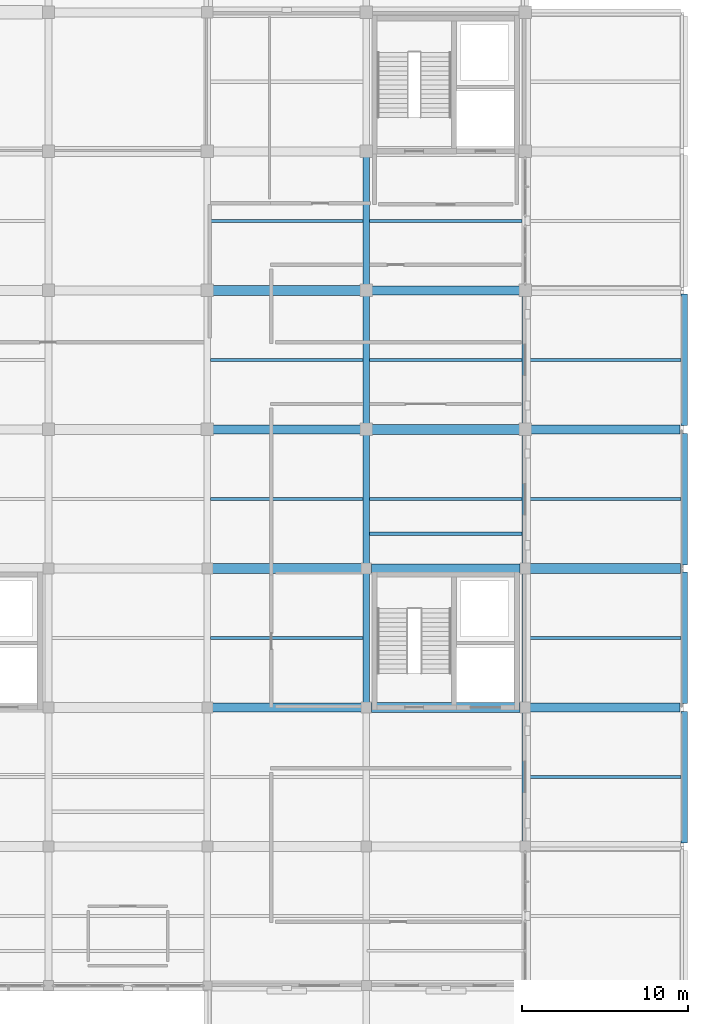
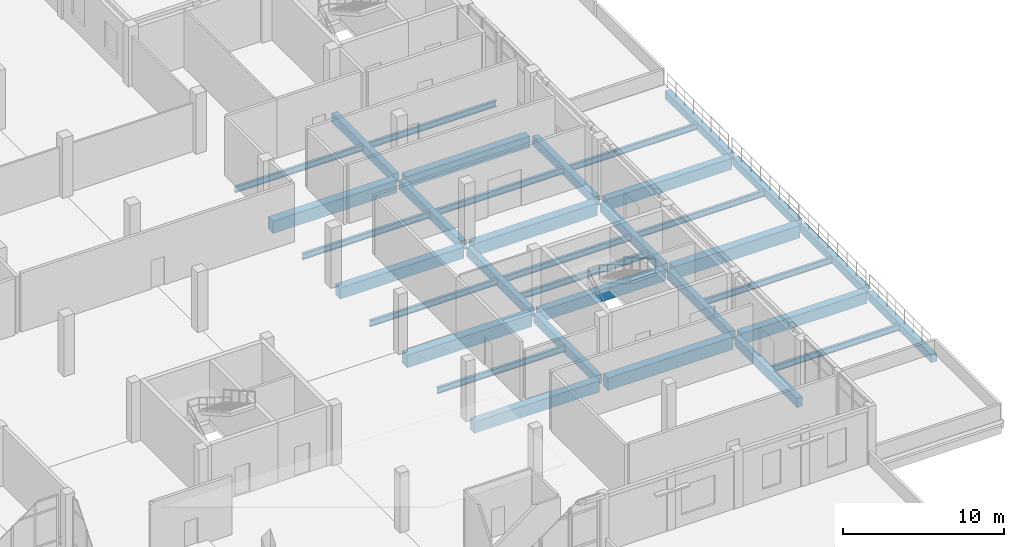
# One storey, part 56 of 88: 35 beams.
"""IFC4 building model written with IfcOpenShell, lengths in metres."""

from ifc_helpers import new_model, si_unit, direction, frame, origin, origin_2d, place, context, subcontext, project, spatial, rectangle, i_section, extrude, material, material_profile, profile_set, type_object, element, save


model = new_model("IFC4")

# Units and contexts
model_context = context("Model", 3, precision=1e-05, world=origin(), true_north=direction((0.0, 1.0)))
body_context = subcontext(model_context, "Body", "Model", "MODEL_VIEW")
ifc_project = project(units=[si_unit("LENGTHUNIT", "METRE"), si_unit("AREAUNIT", "SQUARE_METRE"), si_unit("VOLUMEUNIT", "CUBIC_METRE"), si_unit("PLANEANGLEUNIT", "RADIAN"), si_unit("MASSUNIT", "GRAM", prefix="KILO")], contexts=[model_context])

# Site, building, storey
site_placement = place(None, origin())
site = spatial("IfcSite", under=ifc_project, at=site_placement, CompositionType="ELEMENT")
building_placement = place(site_placement, origin())
building = spatial("IfcBuilding", under=site, at=building_placement, Name="Lornevale Opera House", CompositionType="ELEMENT")
storey_placement = place(building_placement, frame((0.0, 0.0, 10.199951171875)))
storey = spatial("IfcBuildingStorey", under=building, at=storey_placement, Name="L03", CompositionType="ELEMENT", Elevation=10.199951171875)

# Beams
ifc_material_1 = material(Name="Concrete 35 MPa (CSA A23.1 N)", Category="concrete")
ifc_material_profile_1 = material_profile(ifc_material_1, rectangle(XDim=0.39990234375, YDim=0.699951171875, at=origin_2d()), Name="RC400x700")
ifc_profile_set_1 = profile_set([ifc_material_profile_1], Name="Concrete 35 MPa (CSA A23.1 N)")
beam_type_1 = type_object("IfcBeamType", Name="Concrete Floor Beam 400x700", PredefinedType="USERDEFINED", material=ifc_profile_set_1)
beam_1_placement = place(storey_placement, frame((134.39990234375, 33.89990234375, -0.6298828125), z_axis=(0.0, 1.0, 0.0), x_axis=(-1.0, 0.0, 0.0)))
element("IfcBeam", 1, at=beam_1_placement, inside=storey, type_object=beam_type_1, Name="Concrete Floor Beam 400x700 2344", ObjectType="GIRDER", PredefinedType="USERDEFINED", context=body_context, shape_type="SweptSolid", body=[
    extrude(rectangle(XDim=0.39990234375, YDim=0.699951171875, at=origin_2d()), origin(), (0.0, 0.0, 1.0), 7.800048828125),
])
beam_2_placement = place(storey_placement, frame((134.39990234375, 42.300048828125, -0.6298828125), z_axis=(0.0, 1.0, 0.0), x_axis=(-1.0, 0.0, 0.0)))
element("IfcBeam", 2, at=beam_2_placement, inside=storey, type_object=beam_type_1, Name="Concrete Floor Beam 400x700 2345", ObjectType="GIRDER", PredefinedType="USERDEFINED", context=body_context, shape_type="SweptSolid", body=[
    extrude(rectangle(XDim=0.39990234375, YDim=0.699951171875, at=origin_2d()), origin(), (0.0, 0.0, 1.0), 7.75),
])
beam_3_placement = place(storey_placement, frame((134.39990234375, 50.75, -0.6298828125), z_axis=(0.0, 1.0, 0.0), x_axis=(-1.0, 0.0, 0.0)))
element("IfcBeam", 3, at=beam_3_placement, inside=storey, type_object=beam_type_1, Name="Concrete Floor Beam 400x700 2346", ObjectType="GIRDER", PredefinedType="USERDEFINED", context=body_context, shape_type="SweptSolid", body=[
    extrude(rectangle(XDim=0.39990234375, YDim=0.699951171875, at=origin_2d()), origin(), (0.0, 0.0, 1.0), 7.699951171875),
])
beam_4_placement = place(storey_placement, frame((134.39990234375, 59.14990234375, -0.6298828125), z_axis=(0.0, 1.0, 0.0), x_axis=(-1.0, 0.0, 0.0)))
element("IfcBeam", 4, at=beam_4_placement, inside=storey, type_object=beam_type_1, Name="Concrete Floor Beam 400x700 2347", ObjectType="GIRDER", PredefinedType="USERDEFINED", context=body_context, shape_type="SweptSolid", body=[
    extrude(rectangle(XDim=0.39990234375, YDim=0.699951171875, at=origin_2d()), origin(), (0.0, 0.0, 1.0), 7.7001953125),
])
for number, where, z_axis, x_axis, name in (
    (5, (144.0, 25.5, -0.639892578125), (0.0, 1.0, 0.0), (-1.0, 0.0, 0.0), "Concrete Floor Beam 400x700 2352"),
    (6, (144.0, 33.89990234375, -0.6298828125), (0.0, 1.0, 0.0), (-1.0, 0.0, 0.0), "Concrete Floor Beam 400x700 2353"),
):
    element("IfcBeam", number, at=place(storey_placement, frame(where, z_axis=z_axis, x_axis=x_axis)), inside=storey, type_object=beam_type_1, Name=name, ObjectType="GIRDER", PredefinedType="USERDEFINED", context=body_context, shape_type="SweptSolid", body=[
        extrude(rectangle(XDim=0.39990234375, YDim=0.699951171875, at=origin_2d()), origin(), (0.0, 0.0, 1.0), 7.800048828125),
    ])
beam_5_placement = place(storey_placement, frame((144.0, 42.300048828125, -0.6298828125), z_axis=(0.0, 1.0, 0.0), x_axis=(-1.0, 0.0, 0.0)))
element("IfcBeam", 7, at=beam_5_placement, inside=storey, type_object=beam_type_1, Name="Concrete Floor Beam 400x700 2354", ObjectType="GIRDER", PredefinedType="USERDEFINED", context=body_context, shape_type="SweptSolid", body=[
    extrude(rectangle(XDim=0.39990234375, YDim=0.699951171875, at=origin_2d()), origin(), (0.0, 0.0, 1.0), 7.75),
])
beam_6_placement = place(storey_placement, frame((144.0, 50.75, -0.639892578125), z_axis=(0.0, 1.0, 0.0), x_axis=(-1.0, 0.0, 0.0)))
element("IfcBeam", 8, at=beam_6_placement, inside=storey, type_object=beam_type_1, Name="Concrete Floor Beam 400x700 2355", ObjectType="GIRDER", PredefinedType="USERDEFINED", context=body_context, shape_type="SweptSolid", body=[
    extrude(rectangle(XDim=0.39990234375, YDim=0.699951171875, at=origin_2d()), origin(), (0.0, 0.0, 1.0), 7.699951171875),
])
ifc_material_profile_2 = material_profile(ifc_material_1, rectangle(XDim=0.550048828125, YDim=0.85009765625, at=origin_2d()), Name="RC550x850")
ifc_profile_set_2 = profile_set([ifc_material_profile_2], Name="Concrete 35 MPa (CSA A23.1 N)")
beam_type_2 = type_object("IfcBeamType", Name="Concrete Primary Girder 550x850", PredefinedType="USERDEFINED", material=ifc_profile_set_2)
beam_7_placement = place(storey_placement, frame((125.10009765625, 33.60009765625, -0.704833984375), z_axis=(1.0, 0.0, 0.0), x_axis=(0.0, 1.0, 0.0)))
element("IfcBeam", 9, at=beam_7_placement, inside=storey, type_object=beam_type_2, Name="Concrete Primary Girder 550x850 2127", ObjectType="GIRDER", PredefinedType="USERDEFINED", context=body_context, shape_type="SweptSolid", body=[
    extrude(rectangle(XDim=0.550048828125, YDim=0.85009765625, at=origin_2d()), origin(), (0.0, 0.0, 1.0), 9.0),
])
beam_8_placement = place(storey_placement, frame((144.300048828125, 33.60009765625, -0.704833984375), z_axis=(1.0, 0.0, 0.0), x_axis=(0.0, 1.0, 0.0)))
element("IfcBeam", 10, at=beam_8_placement, inside=storey, type_object=beam_type_2, Name="Concrete Primary Girder 550x850 2129", ObjectType="GIRDER", PredefinedType="USERDEFINED", context=body_context, shape_type="SweptSolid", body=[
    extrude(rectangle(XDim=0.550048828125, YDim=0.85009765625, at=origin_2d()), origin(), (0.0, 0.0, 1.0), 9.050048828125),
])
beam_9_placement = place(storey_placement, frame((134.699951171875, 42.0, -0.704833984375), z_axis=(1.0, 0.0, 0.0), x_axis=(0.0, 1.0, 0.0)))
element("IfcBeam", 11, at=beam_9_placement, inside=storey, type_object=beam_type_2, Name="Concrete Primary Girder 550x850 2141", ObjectType="GIRDER", PredefinedType="USERDEFINED", context=body_context, shape_type="SweptSolid", body=[
    extrude(rectangle(XDim=0.550048828125, YDim=0.85009765625, at=origin_2d()), origin(), (0.0, 0.0, 1.0), 9.0),
])
beam_10_placement = place(storey_placement, frame((125.14990234375, 50.39990234375, -0.704833984375), z_axis=(1.0, 0.0, 0.0), x_axis=(0.0, 1.0, 0.0)))
element("IfcBeam", 12, at=beam_10_placement, inside=storey, type_object=beam_type_2, Name="Concrete Primary Girder 550x850 2150", ObjectType="GIRDER", PredefinedType="USERDEFINED", context=body_context, shape_type="SweptSolid", body=[
    extrude(rectangle(XDim=0.550048828125, YDim=0.85009765625, at=origin_2d()), origin(), (0.0, 0.0, 1.0), 8.900146484375),
])
beam_11_placement = place(storey_placement, frame((144.35009765625, 50.39990234375, -0.704833984375), z_axis=(1.0, 0.0, 0.0), x_axis=(0.0, 1.0, 0.0)))
element("IfcBeam", 13, at=beam_11_placement, inside=storey, type_object=beam_type_2, Name="Concrete Primary Girder 550x850 2152", ObjectType="GIRDER", PredefinedType="USERDEFINED", context=body_context, shape_type="SweptSolid", body=[
    extrude(rectangle(XDim=0.550048828125, YDim=0.85009765625, at=origin_2d()), origin(), (0.0, 0.0, 1.0), 9.0),
])
beam_12_placement = place(storey_placement, frame((134.75, 58.800048828125, -0.71484375), z_axis=(1.0, 0.0, 0.0), x_axis=(0.0, 1.0, 0.0)))
element("IfcBeam", 14, at=beam_12_placement, inside=storey, type_object=beam_type_2, Name="Concrete Primary Girder 550x850 2162", ObjectType="GIRDER", PredefinedType="USERDEFINED", context=body_context, shape_type="SweptSolid", body=[
    extrude(rectangle(XDim=0.550048828125, YDim=0.85009765625, at=origin_2d()), origin(), (0.0, 0.0, 1.0), 8.89990234375),
])
ifc_material_profile_3 = material_profile(ifc_material_1, rectangle(XDim=0.60009765625, YDim=0.949951171875, at=origin_2d()), Name="RC600x950")
ifc_profile_set_3 = profile_set([ifc_material_profile_3], Name="Concrete 35 MPa (CSA A23.1 N)")
beam_type_3 = type_object("IfcBeamType", Name="Concrete Primary Girder 600x950", PredefinedType="USERDEFINED", material=ifc_profile_set_3)
for number, where, z_axis, x_axis, name in (
    (15, (134.699951171875, 33.60009765625, -0.7548828125), (1.0, 0.0, 0.0), (0.0, 1.0, 0.0), "Concrete Primary Girder 600x950 2128"),
    (16, (125.10009765625, 42.0, -0.7548828125), (1.0, 0.0, 0.0), (0.0, 1.0, 0.0), "Concrete Primary Girder 600x950 2140"),
):
    element("IfcBeam", number, at=place(storey_placement, frame(where, z_axis=z_axis, x_axis=x_axis)), inside=storey, type_object=beam_type_3, Name=name, ObjectType="GIRDER", PredefinedType="USERDEFINED", context=body_context, shape_type="SweptSolid", body=[
        extrude(rectangle(XDim=0.60009765625, YDim=0.949951171875, at=origin_2d()), origin(), (0.0, 0.0, 1.0), 9.0),
    ])
beam_13_placement = place(storey_placement, frame((144.300048828125, 42.0, -0.7548828125), z_axis=(1.0, 0.0, 0.0), x_axis=(0.0, 1.0, 0.0)))
element("IfcBeam", 17, at=beam_13_placement, inside=storey, type_object=beam_type_3, Name="Concrete Primary Girder 600x950 2142", ObjectType="GIRDER", PredefinedType="USERDEFINED", context=body_context, shape_type="SweptSolid", body=[
    extrude(rectangle(XDim=0.60009765625, YDim=0.949951171875, at=origin_2d()), origin(), (0.0, 0.0, 1.0), 9.074951171875),
])
beam_14_placement = place(storey_placement, frame((134.75, 50.39990234375, -0.7548828125), z_axis=(1.0, 0.0, 0.0), x_axis=(0.0, 1.0, 0.0)))
element("IfcBeam", 18, at=beam_14_placement, inside=storey, type_object=beam_type_3, Name="Concrete Primary Girder 600x950 2151", ObjectType="GIRDER", PredefinedType="USERDEFINED", context=body_context, shape_type="SweptSolid", body=[
    extrude(rectangle(XDim=0.60009765625, YDim=0.949951171875, at=origin_2d()), origin(), (0.0, 0.0, 1.0), 8.89990234375),
])
beam_15_placement = place(storey_placement, frame((125.14990234375, 58.800048828125, -0.7548828125), z_axis=(1.0, 0.0, 0.0), x_axis=(0.0, 1.0, 0.0)))
element("IfcBeam", 19, at=beam_15_placement, inside=storey, type_object=beam_type_3, Name="Concrete Primary Girder 600x950 2161", ObjectType="GIRDER", PredefinedType="USERDEFINED", context=body_context, shape_type="SweptSolid", body=[
    extrude(rectangle(XDim=0.60009765625, YDim=0.949951171875, at=origin_2d()), origin(), (0.0, 0.0, 1.0), 8.900146484375),
])
ifc_material_profile_4 = material_profile(ifc_material_1, rectangle(XDim=0.39990234375, YDim=0.60009765625, at=origin_2d()), Name="RC400x600")
ifc_profile_set_4 = profile_set([ifc_material_profile_4], Name="Concrete 35 MPa (CSA A23.1 N)")
beam_type_4 = type_object("IfcBeamType", Name="Concrete Spandrel Beam 400x600", PredefinedType="SPANDREL", material=ifc_profile_set_4)
beam_16_placement = place(storey_placement, frame((153.60009765625, 25.425048828125, -0.58984375), z_axis=(0.0, 1.0, 0.0), x_axis=(-1.0, 0.0, 0.0)))
element("IfcBeam", 20, at=beam_16_placement, inside=storey, type_object=beam_type_4, Name="Concrete Spandrel Beam 400x600 2360", PredefinedType="SPANDREL", context=body_context, shape_type="SweptSolid", body=[
    extrude(rectangle(XDim=0.39990234375, YDim=0.60009765625, at=origin_2d()), origin(), (0.0, 0.0, 1.0), 7.925048828125),
])
for number, where, z_axis, x_axis, name in (
    (21, (153.60009765625, 33.85009765625, -0.550048828125), (0.0, 1.0, 0.0), (-1.0, 0.0, 0.0), "Concrete Spandrel Beam 400x600 2361"),
    (22, (153.60009765625, 42.22509765625, -0.550048828125), (0.0, 1.0, 0.0), (-1.0, 0.0, 0.0), "Concrete Spandrel Beam 400x600 2362"),
):
    element("IfcBeam", number, at=place(storey_placement, frame(where, z_axis=z_axis, x_axis=x_axis)), inside=storey, type_object=beam_type_4, Name=name, PredefinedType="SPANDREL", context=body_context, shape_type="SweptSolid", body=[
        extrude(rectangle(XDim=0.39990234375, YDim=0.60009765625, at=origin_2d()), origin(), (0.0, 0.0, 1.0), 7.9248046875),
    ])
beam_17_placement = place(storey_placement, frame((153.60009765625, 50.64990234375, -0.58984375), z_axis=(0.0, 1.0, 0.0), x_axis=(-1.0, 0.0, 0.0)))
element("IfcBeam", 23, at=beam_17_placement, inside=storey, type_object=beam_type_4, Name="Concrete Spandrel Beam 400x600 2363", PredefinedType="SPANDREL", context=body_context, shape_type="SweptSolid", body=[
    extrude(rectangle(XDim=0.39990234375, YDim=0.60009765625, at=origin_2d()), origin(), (0.0, 0.0, 1.0), 7.925048828125),
])
ifc_material_2 = material(Name="Structural Steel CSA G40.21 Grade 350W (350 MPa)", Category="steel")
ifc_material_profile_5 = material_profile(ifc_material_2, i_section(OverallWidth=0.19189453125, OverallDepth=0.462890625, WebThickness=0.010498046875, FlangeThickness=0.017578125, at=origin_2d()), Name="W460x89")
ifc_profile_set_5 = profile_set([ifc_material_profile_5], Name="Structural Steel CSA G40.21 Grade 350W (350 MPa)")
beam_type_5 = type_object("IfcBeamType", Name="Steel Floor Joist W460x89", PredefinedType="JOIST", material=ifc_profile_set_5)
for number, where, z_axis, x_axis, name in (
    (24, (125.0, 37.800048828125, -0.5263671875), (1.0, 0.0, 0.0), (0.0, 1.0, 0.0), "Steel Floor Joist W460x89 2439"),
    (25, (125.0, 46.199951171875, -0.5263671875), (1.0, 0.0, 0.0), (0.0, 1.0, 0.0), "Steel Floor Joist W460x89 2440"),
    (26, (125.0, 54.60009765625, -0.5263671875), (1.0, 0.0, 0.0), (0.0, 1.0, 0.0), "Steel Floor Joist W460x89 2441"),
    (27, (125.0, 63.0, -0.5263671875), (1.0, 0.0, 0.0), (0.0, 1.0, 0.0), "Steel Floor Joist W460x89 2442"),
    (28, (134.60009765625, 46.199951171875, -0.5263671875), (1.0, 0.0, 0.0), (0.0, 1.0, 0.0), "Steel Floor Joist W460x89 2448"),
    (29, (134.60009765625, 54.60009765625, -0.536376953125), (1.0, 0.0, 0.0), (0.0, 1.0, 0.0), "Steel Floor Joist W460x89 2449"),
    (30, (134.60009765625, 63.0, -0.536376953125), (1.0, 0.0, 0.0), (0.0, 1.0, 0.0), "Steel Floor Joist W460x89 2450"),
    (31, (144.199951171875, 29.39990234375, -0.536376953125), (1.0, 0.0, 0.0), (0.0, 1.0, 0.0), "Steel Floor Joist W460x89 2453"),
    (32, (144.199951171875, 37.800048828125, -0.5263671875), (1.0, 0.0, 0.0), (0.0, 1.0, 0.0), "Steel Floor Joist W460x89 2454"),
    (33, (144.199951171875, 46.199951171875, -0.5263671875), (1.0, 0.0, 0.0), (0.0, 1.0, 0.0), "Steel Floor Joist W460x89 2455"),
    (34, (144.199951171875, 54.60009765625, -0.536376953125), (1.0, 0.0, 0.0), (0.0, 1.0, 0.0), "Steel Floor Joist W460x89 2456"),
):
    element("IfcBeam", number, at=place(storey_placement, frame(where, z_axis=z_axis, x_axis=x_axis)), inside=storey, type_object=beam_type_5, Name=name, PredefinedType="JOIST", context=body_context, shape_type="SweptSolid", body=[
        extrude(i_section(OverallWidth=0.19189453125, OverallDepth=0.462890625, WebThickness=0.010498046875, FlangeThickness=0.017578125, at=origin_2d()), origin(), (0.0, 0.0, 1.0), 9.199951171875),
    ])
ifc_material_profile_6 = material_profile(ifc_material_2, i_section(OverallWidth=0.193115234375, OverallDepth=0.466064453125, WebThickness=0.011474609375, FlangeThickness=0.01904296875, at=origin_2d()), Name="W460x97")
ifc_profile_set_6 = profile_set([ifc_material_profile_6], Name="Structural Steel CSA G40.21 Grade 350W (350 MPa)")
beam_type_6 = type_object("IfcBeamType", Name="Wardrobe Wing Beam W460x97", PredefinedType="JOIST", material=ifc_profile_set_6)
beam_18_placement = place(storey_placement, frame((134.449951171875, 44.10009765625, -0.550048828125), z_axis=(1.0, 0.0, 0.0), x_axis=(0.0, 1.0, 0.0)))
element("IfcBeam", 35, at=beam_18_placement, inside=storey, type_object=beam_type_6, Name="Wardrobe Wing Beam W460x97 3050", PredefinedType="JOIST", context=body_context, shape_type="SweptSolid", body=[
    extrude(i_section(OverallWidth=0.193115234375, OverallDepth=0.466064453125, WebThickness=0.011474609375, FlangeThickness=0.01904296875, at=origin_2d()), origin(), (0.0, 0.0, 1.0), 9.5),
])

save(model, "model.ifc")
